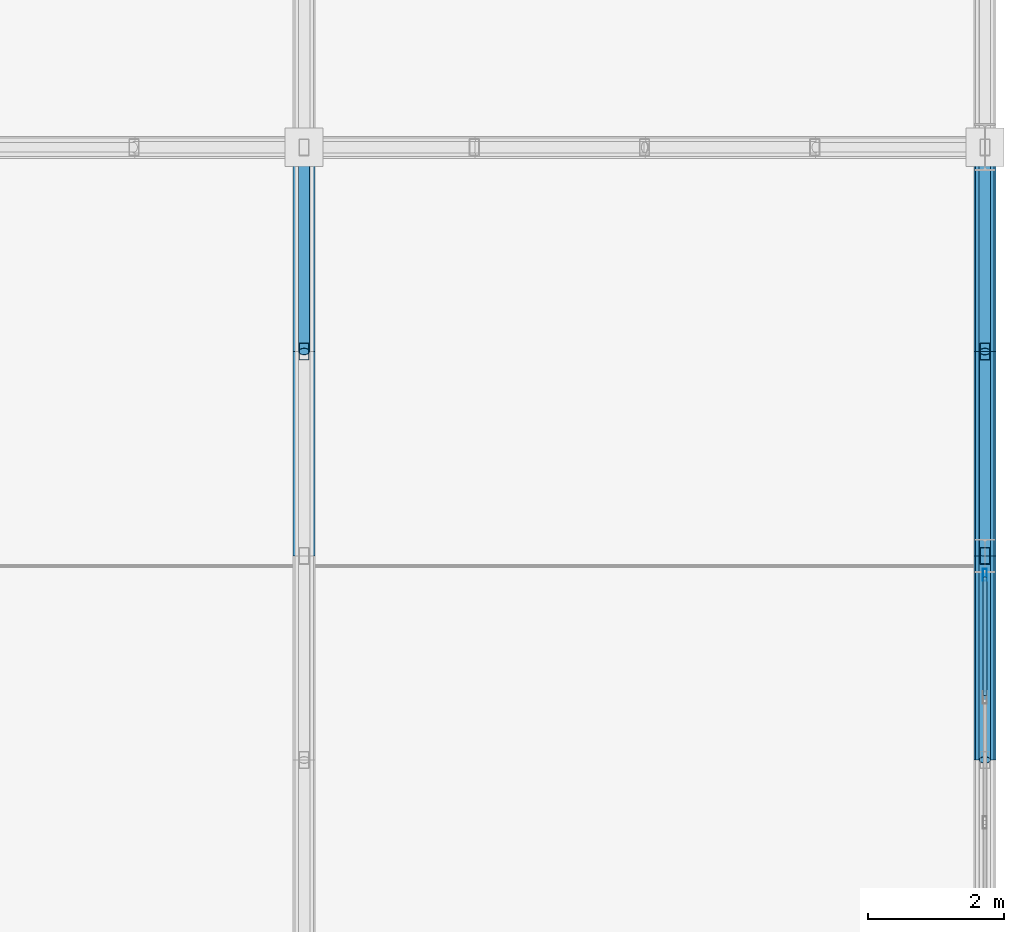
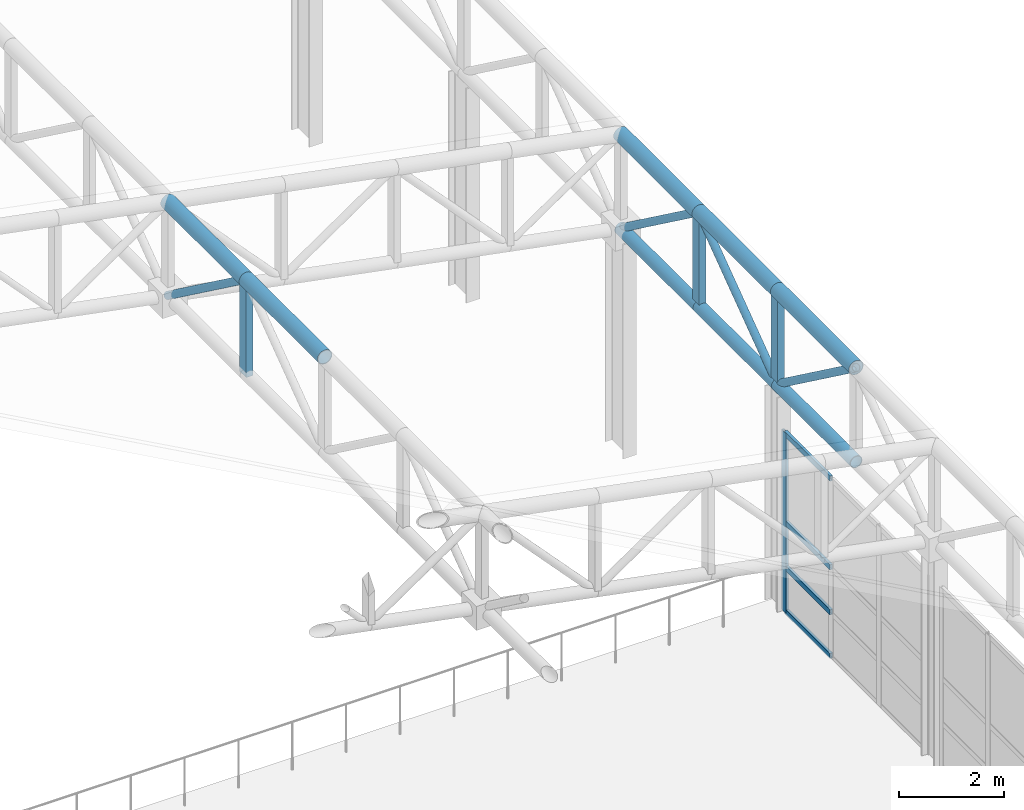
# One storey, part 57 of 112: 20 members, 1 element without a shape of its own.
"""IFC4 building model written with IfcOpenShell, lengths in metres."""

from ifc_helpers import new_model, si_unit, direction, frame, origin, origin_2d, place, context, subcontext, project, spatial, hollow_rectangle, hollow_circle, extrude, material, material_profile, profile_set, type_object, element, aggregate, save


model = new_model("IFC4")

# Units and contexts
model_context = context("Model", 3, precision=1e-05, world=origin(), true_north=direction((0.0, 1.0)))
body_context = subcontext(model_context, "Body", "Model", "MODEL_VIEW")
ifc_project = project(units=[si_unit("LENGTHUNIT", "METRE"), si_unit("AREAUNIT", "SQUARE_METRE"), si_unit("VOLUMEUNIT", "CUBIC_METRE"), si_unit("PLANEANGLEUNIT", "RADIAN"), si_unit("MASSUNIT", "GRAM", prefix="KILO")], contexts=[model_context])

# Site, building, storey
site_placement = place(None, origin())
site = spatial("IfcSite", under=ifc_project, at=site_placement, CompositionType="ELEMENT")
building_placement = place(site_placement, origin())
building = spatial("IfcBuilding", under=site, at=building_placement, Name="Kaldris Quays Convention Centre", CompositionType="ELEMENT")
storey_placement = place(building_placement, frame((0.0, 0.0, 16.800048828125)))
storey = spatial("IfcBuildingStorey", under=building, at=storey_placement, Name="L03", CompositionType="ELEMENT", Elevation=16.800048828125)

# Curtain wall, members
ifc_material_1 = material(Name="Anodized aluminium AW-6060 and triple glazing", Category="aluminium")
curtain_wall_type = type_object("IfcCurtainWallType", Name="UNITISED CURTAIN WALL CW02", PredefinedType="NOTDEFINED", material=ifc_material_1)
curtain_wall_placement = place(storey_placement, origin())
curtain_wall = element("IfcCurtainWall", 1, at=curtain_wall_placement, inside=storey, type_object=curtain_wall_type, Name="L03 Unitised Curtain Wall CW02 42", PredefinedType="NOTDEFINED")
ifc_material_2 = material(Name="Anodized aluminium AW-6060", Category="aluminium")
ifc_material_profile_1 = material_profile(ifc_material_2, hollow_rectangle(XDim=0.06005859375, YDim=0.179931640625, WallThickness=0.0048828125, at=origin_2d()), Name="RHS 180x60x5")
ifc_profile_set_1 = profile_set([ifc_material_profile_1], Name="Anodized aluminium AW-6060")
member_type_1 = type_object("IfcMemberType", Name="CURTAIN MULLION CWM2", PredefinedType="MULLION", material=ifc_profile_set_1)
member_1_placement = place(storey_placement, frame((204.0, 73.719970703125, 0.0), z_axis=(0.0, 0.0, 1.0), x_axis=(-1.0, 0.0, 0.0)))
member_1 = element("IfcMember", 2, at=member_1_placement, type_object=member_type_1, Name="CW02 mullion 4", PredefinedType="MULLION", context=body_context, shape_type="SweptSolid", body=[
    extrude(hollow_rectangle(XDim=0.06005859375, YDim=0.179931640625, WallThickness=0.0048828125, at=origin_2d()), origin(), (0.0, 0.0, 1.0), 4.199951171875),
])
ifc_material_profile_2 = material_profile(ifc_material_2, hollow_rectangle(XDim=0.06005859375, YDim=0.1201171875, WallThickness=0.00390625, at=origin_2d()), Name="RHS 120x60x4")
ifc_profile_set_2 = profile_set([ifc_material_profile_2], Name="Anodized aluminium AW-6060")
member_type_2 = type_object("IfcMemberType", Name="CURTAIN TRANSOM CWT1", PredefinedType="USERDEFINED", material=ifc_profile_set_2)
member_2_placement = place(storey_placement, frame((204.0, 71.94677734375, 0.030029296875), z_axis=(0.0, 1.0, 0.0), x_axis=(-1.0, 0.0, 0.0)))
member_2 = element("IfcMember", 3, at=member_2_placement, type_object=member_type_2, Name="CW02 transom 3.1", ObjectType="TRANSOM", PredefinedType="USERDEFINED", context=body_context, shape_type="SweptSolid", body=[
    extrude(hollow_rectangle(XDim=0.06005859375, YDim=0.1201171875, WallThickness=0.00390625, at=origin_2d()), origin(), (0.0, 0.0, 1.0), 1.7431640625),
])
member_3_placement = place(storey_placement, frame((204.0, 71.94677734375, 1.050048828125), z_axis=(0.0, 1.0, 0.0), x_axis=(-1.0, 0.0, 0.0)))
member_3 = element("IfcMember", 4, at=member_3_placement, type_object=member_type_2, Name="CW02 transom 3.2", ObjectType="TRANSOM", PredefinedType="USERDEFINED", context=body_context, shape_type="SweptSolid", body=[
    extrude(hollow_rectangle(XDim=0.06005859375, YDim=0.1201171875, WallThickness=0.00390625, at=origin_2d()), origin(), (0.0, 0.0, 1.0), 1.7431640625),
])
member_4_placement = place(storey_placement, frame((204.0, 71.94677734375, 2.099853515625), z_axis=(0.0, 1.0, 0.0), x_axis=(-1.0, 0.0, 0.0)))
member_4 = element("IfcMember", 5, at=member_4_placement, type_object=member_type_2, Name="CW02 transom 3.3", ObjectType="TRANSOM", PredefinedType="USERDEFINED", context=body_context, shape_type="SweptSolid", body=[
    extrude(hollow_rectangle(XDim=0.06005859375, YDim=0.1201171875, WallThickness=0.00390625, at=origin_2d()), origin(), (0.0, 0.0, 1.0), 1.7431640625),
])
member_5_placement = place(storey_placement, frame((204.0, 71.94677734375, 4.169921875), z_axis=(0.0, 1.0, 0.0), x_axis=(-1.0, 0.0, 0.0)))
member_5 = element("IfcMember", 6, at=member_5_placement, type_object=member_type_2, Name="CW02 transom 3.4", ObjectType="TRANSOM", PredefinedType="USERDEFINED", context=body_context, shape_type="SweptSolid", body=[
    extrude(hollow_rectangle(XDim=0.06005859375, YDim=0.1201171875, WallThickness=0.00390625, at=origin_2d()), origin(), (0.0, 0.0, 1.0), 1.7431640625),
])
aggregate(curtain_wall, [member_1, member_2, member_3, member_4, member_5])

# Members
ifc_material_3 = material(Name="Steel S355J2H", Category="steel")
ifc_material_profile_3 = material_profile(ifc_material_3, hollow_circle(Radius=0.161865234375, WallThickness=0.01611328125, at=origin_2d()), Name="CHS 323.9x16")
ifc_profile_set_3 = profile_set([ifc_material_profile_3], Name="Steel S355J2H")
member_type_3 = type_object("IfcMemberType", Name="STRUCTURAL MEMBER SC03", PredefinedType="CHORD", material=ifc_profile_set_3)
for number, where, z_axis, x_axis, name in (
    (7, (194.0, 74.0, 9.25927734375), (0.0, 1.0, 0.0), (-1.0, 0.0, 0.0), "SF-V2 Top Chord Y 130"),
    (8, (194.0, 77.0, 9.25927734375), (0.0, 1.0, 0.0), (-1.0, 0.0, 0.0), "SF-V2 Top Chord Y 131"),
    (9, (204.0, 71.0, 7.33056640625), (0.0, 1.0, 0.0), (-1.0, 0.0, 0.0), "SF-V2 Top Chord Y 145"),
    (10, (204.0, 74.0, 7.33056640625), (0.0, 1.0, 0.0), (-1.0, 0.0, 0.0), "SF-V2 Top Chord Y 146"),
    (11, (204.0, 77.0, 7.33056640625), (0.0, 1.0, 0.0), (-1.0, 0.0, 0.0), "SF-V2 Top Chord Y 147"),
):
    element("IfcMember", number, at=place(storey_placement, frame(where, z_axis=z_axis, x_axis=x_axis)), inside=storey, type_object=member_type_3, Name=name, PredefinedType="CHORD", context=body_context, shape_type="SweptSolid", body=[
        extrude(hollow_circle(Radius=0.161865234375, WallThickness=0.01611328125, at=origin_2d()), origin(), (0.0, 0.0, 1.0), 3.0),
    ])
ifc_material_profile_4 = material_profile(ifc_material_3, hollow_circle(Radius=0.136474609375, WallThickness=0.012451171875, at=origin_2d()), Name="CHS 273x12.5")
ifc_profile_set_4 = profile_set([ifc_material_profile_4], Name="Steel S355J2H")
member_type_4 = type_object("IfcMemberType", Name="STRUCTURAL MEMBER SC04", PredefinedType="CHORD", material=ifc_profile_set_4)
for number, where, z_axis, x_axis, name in (
    (12, (204.0, 71.0, 5.13037109375), (0.0, 1.0, 0.0), (-1.0, 0.0, 0.0), "SF-V2 Bottom Chord Y 145"),
    (13, (204.0, 74.0, 5.13037109375), (0.0, 1.0, 0.0), (-1.0, 0.0, 0.0), "SF-V2 Bottom Chord Y 146"),
    (14, (204.0, 77.0, 5.13037109375), (0.0, 1.0, 0.0), (-1.0, 0.0, 0.0), "SF-V2 Bottom Chord Y 147"),
):
    element("IfcMember", number, at=place(storey_placement, frame(where, z_axis=z_axis, x_axis=x_axis)), inside=storey, type_object=member_type_4, Name=name, PredefinedType="CHORD", context=body_context, shape_type="SweptSolid", body=[
        extrude(hollow_circle(Radius=0.136474609375, WallThickness=0.012451171875, at=origin_2d()), origin(), (0.0, 0.0, 1.0), 3.0),
    ])
ifc_material_profile_5 = material_profile(ifc_material_3, hollow_circle(Radius=0.084228515625, WallThickness=0.008056640625, at=origin_2d()), Name="CHS 168.3x8")
ifc_profile_set_5 = profile_set([ifc_material_profile_5], Name="Steel S355J2H")
member_type_5 = type_object("IfcMemberType", Name="STRUCTURAL MEMBER SWB2", PredefinedType="BRACE", material=ifc_profile_set_5)
for number, where, z_axis, x_axis, name in (
    (15, (194.0, 80.0, 7.059326171875), (0.0, -0.80641125493, 0.591355128432), (1.0, 0.0, 0.0), "SF-V2 Web Diagonal Y 131"),
    (16, (204.0, 74.0, 5.13037109375), (0.0, -0.806379959628, 0.591397802423), (1.0, 0.0, 0.0), "SF-V2 Web Diagonal Y 145"),
    (17, (204.0, 74.0, 5.13037109375), (0.0, 0.806379959628, 0.591397802423), (-1.0, 0.0, 0.0), "SF-V2 Web Diagonal Y 146"),
    (18, (204.0, 80.0, 5.13037109375), (0.0, -0.806379959628, 0.591397802423), (1.0, 0.0, 0.0), "SF-V2 Web Diagonal Y 147"),
):
    element("IfcMember", number, at=place(storey_placement, frame(where, z_axis=z_axis, x_axis=x_axis)), inside=storey, type_object=member_type_5, Name=name, PredefinedType="BRACE", context=body_context, shape_type="SweptSolid", body=[
        extrude(hollow_circle(Radius=0.084228515625, WallThickness=0.008056640625, at=origin_2d()), origin(), (0.0, 0.0, 1.0), 3.72021484375),
    ])
ifc_material_profile_6 = material_profile(ifc_material_3, hollow_rectangle(XDim=0.14990234375, YDim=0.25, WallThickness=0.010009765625, at=origin_2d()), Name="RHS 250x150x10")
ifc_profile_set_6 = profile_set([ifc_material_profile_6], Name="Steel S355J2H")
member_type_6 = type_object("IfcMemberType", Name="STRUCTURAL MEMBER TTV1", PredefinedType="POST", material=ifc_profile_set_6)
member_6_placement = place(storey_placement, frame((194.0, 77.0, 7.059326171875), z_axis=(0.0, 0.0, 1.0), x_axis=(1.0, 0.0, 0.0)))
element("IfcMember", 19, at=member_6_placement, inside=storey, type_object=member_type_6, Name="SF-V2 Space-Frame Post 99", PredefinedType="POST", context=body_context, shape_type="SweptSolid", body=[
    extrude(hollow_rectangle(XDim=0.14990234375, YDim=0.25, WallThickness=0.010009765625, at=origin_2d()), origin(), (0.0, 0.0, 1.0), 2.199951171875),
])
member_7_placement = place(storey_placement, frame((204.0, 74.0, 4.993896484375), z_axis=(0.0, 0.0, 1.0), x_axis=(1.0, 0.0, 0.0)))
element("IfcMember", 20, at=member_7_placement, inside=storey, type_object=member_type_6, Name="SF-V2 Space-Frame Post 130", PredefinedType="POST", context=body_context, shape_type="SweptSolid", body=[
    extrude(hollow_rectangle(XDim=0.14990234375, YDim=0.25, WallThickness=0.010009765625, at=origin_2d()), origin(), (0.0, 0.0, 1.0), 2.336669921875),
])
member_8_placement = place(storey_placement, frame((204.0, 77.0, 5.13037109375), z_axis=(0.0, 0.0, 1.0), x_axis=(1.0, 0.0, 0.0)))
element("IfcMember", 21, at=member_8_placement, inside=storey, type_object=member_type_6, Name="SF-V2 Space-Frame Post 131", PredefinedType="POST", context=body_context, shape_type="SweptSolid", body=[
    extrude(hollow_rectangle(XDim=0.14990234375, YDim=0.25, WallThickness=0.010009765625, at=origin_2d()), origin(), (0.0, 0.0, 1.0), 2.2001953125),
])

save(model, "model.ifc")
